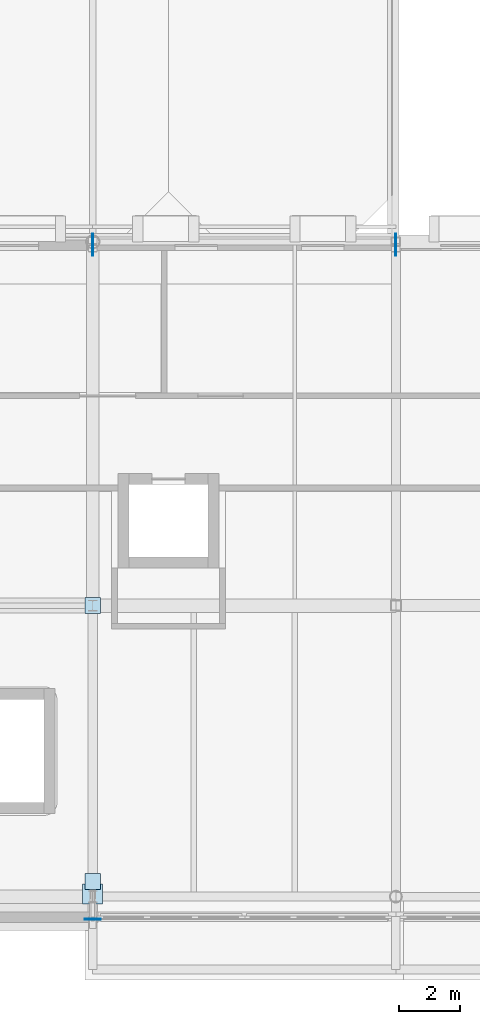
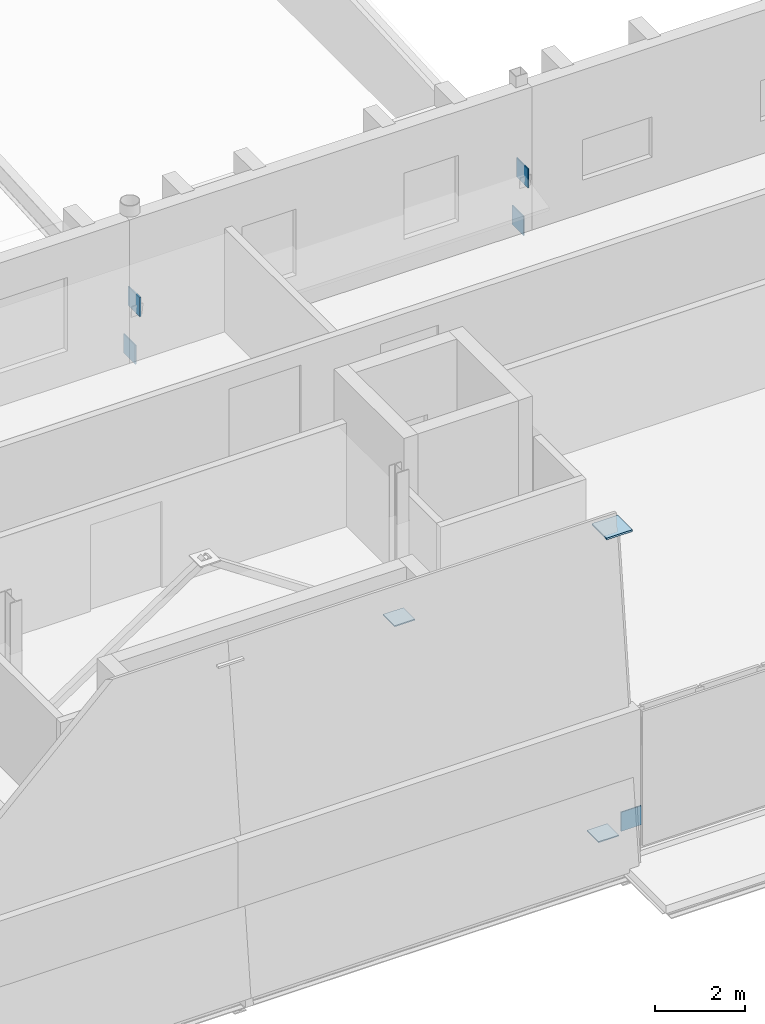
# One storey, part 41 of 57: 8 plates.
"""IFC4 building model written with IfcOpenShell, lengths in metres."""

from ifc_helpers import new_model, si_unit, direction, frame, origin, origin_2d, place, context, subcontext, project, spatial, rectangle, extrude, material, layer, layer_set, type_object, element, save


model = new_model("IFC4")

# Units and contexts
model_context = context("Model", 3, precision=1e-05, world=origin(), true_north=direction((0.0, 1.0)))
body_context = subcontext(model_context, "Body", "Model", "MODEL_VIEW")
ifc_project = project(units=[si_unit("LENGTHUNIT", "METRE"), si_unit("AREAUNIT", "SQUARE_METRE"), si_unit("VOLUMEUNIT", "CUBIC_METRE"), si_unit("PLANEANGLEUNIT", "RADIAN"), si_unit("MASSUNIT", "GRAM", prefix="KILO")], contexts=[model_context])

# Site, building, storey
site_placement = place(None, origin())
site = spatial("IfcSite", under=ifc_project, at=site_placement, CompositionType="ELEMENT")
building_placement = place(site_placement, origin())
building = spatial("IfcBuilding", under=site, at=building_placement, Name="Zereglee Splitstone Museum", CompositionType="ELEMENT")
storey_placement = place(building_placement, frame((0.0, 0.0, 17.10009765625)))
storey = spatial("IfcBuildingStorey", under=building, at=storey_placement, Name="L03", CompositionType="ELEMENT", Elevation=17.10009765625)

# Plates
ifc_material = material(Name="Steel S355J2", Category="steel")
ifc_layer_1 = layer(ifc_material, 0.030029296875)
ifc_layer_set_1 = layer_set([ifc_layer_1], Name="Steel S355J2")
plate_type_1 = type_object("IfcPlateType", Name="NP-04", PredefinedType="SHEET", material=ifc_layer_set_1)
for number, where, z_axis, x_axis, name in (
    (1, (195.199951171875, 21.60009765625, -0.110107421875), (0.0, 0.0, 1.0), (1.0, 0.0, 0.0), "Chhajja Corbel Gusset Plate RF-V4"),
    (2, (195.199951171875, 21.39990234375, 1.309814453125), (0.0, 0.0, 1.0), (1.0, 0.0, 0.0), "Chhajja Corbel Gusset Plate RF-V4"),
    (3, (205.199951171875, 21.60009765625, -0.110107421875), (0.0, 0.0, 1.0), (1.0, 0.0, 0.0), "Chhajja Corbel Gusset Plate RF-V4"),
    (4, (205.199951171875, 21.39990234375, 1.309814453125), (0.0, 0.0, 1.0), (1.0, 0.0, 0.0), "Chhajja Corbel Gusset Plate RF-V4"),
):
    element("IfcPlate", number, at=place(storey_placement, frame(where, z_axis=z_axis, x_axis=x_axis)), inside=storey, type_object=plate_type_1, Name=name, PredefinedType="SHEET", context=body_context, shape_type="SweptSolid", body=[
        extrude(rectangle(XDim=0.030029296875, YDim=0.52001953125, at=origin_2d()), origin(), (0.0, 0.0, 1.0), 0.52001953125),
    ])
for number, where, z_axis, x_axis, name in (
    (5, (195.199951171875, 9.60009765625, 0.10498046875), (0.0, 0.0, 1.0), (1.0, 0.0, 0.0), "CBF Brace Gusset Cap L03-018"),
    (6, (195.199951171875, 0.5, -0.2548828125), (0.0, 0.0, 1.0), (1.0, 0.0, 0.0), "Facet Tie Seal Plate FH-V3S"),
):
    element("IfcPlate", number, at=place(storey_placement, frame(where, z_axis=z_axis, x_axis=x_axis)), inside=storey, type_object=plate_type_1, Name=name, PredefinedType="SHEET", context=body_context, shape_type="SweptSolid", body=[
        extrude(rectangle(XDim=0.52001953125, YDim=0.52001953125, at=origin_2d()), origin(), (0.0, 0.0, 1.0), 0.030029296875),
    ])
plate_1_placement = place(storey_placement, frame((195.199951171875, -0.743408203125, 0.659912109375), z_axis=(0.0, 0.0, 1.0), x_axis=(1.0, 0.0, 0.0)))
element("IfcPlate", 7, at=plate_1_placement, inside=storey, type_object=plate_type_1, Name="Facet Tie Seal Plate FH-V3S", PredefinedType="SHEET", context=body_context, shape_type="SweptSolid", body=[
    extrude(rectangle(XDim=0.52001953125, YDim=0.030029296875, at=origin_2d()), origin(), (0.0, 0.0, 1.0), 0.52001953125),
])
ifc_layer_2 = layer(ifc_material, 0.050048828125)
ifc_layer_set_2 = layer_set([ifc_layer_2], Name="Steel S355J2")
plate_type_2 = type_object("IfcPlateType", Name="NP-02", PredefinedType="SHEET", material=ifc_layer_set_2)
plate_2_placement = place(storey_placement, frame((195.199951171875, 0.09130859375, 8.3046875), z_axis=(0.0, 0.0, 1.0), x_axis=(1.0, 0.0, 0.0)))
element("IfcPlate", 8, at=plate_2_placement, inside=storey, type_object=plate_type_2, Name="Facet Strut Seal Plate FH-V3S", PredefinedType="SHEET", context=body_context, shape_type="SweptSolid", body=[
    extrude(rectangle(XDim=0.659912109375, YDim=0.659912109375, at=origin_2d()), origin(), (0.0, 0.0, 1.0), 0.050048828125),
])

save(model, "model.ifc")
